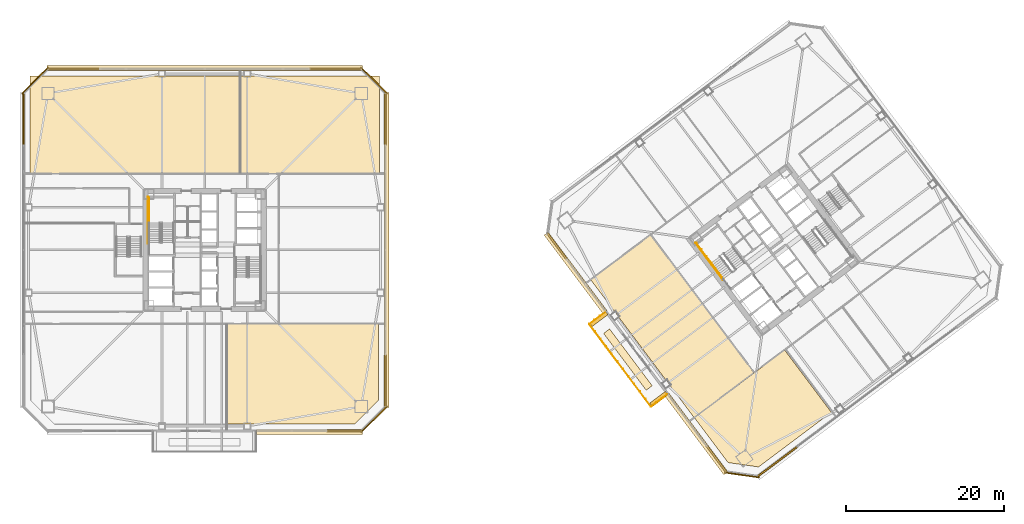
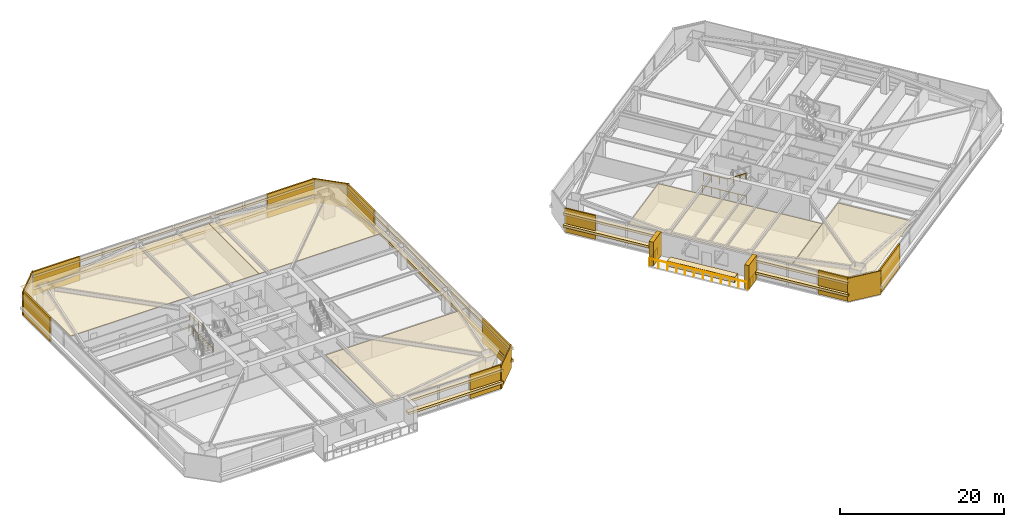
# One storey, part 43 of 46: 31 coverings, 8 railings.
"""IFC4 building model written with IfcOpenShell, lengths in metres."""

import ifcopenshell
import ifcopenshell.guid

model = None  # the IFC model being written
_history = None  # IfcOwnerHistory: only IFC2X3 demands one
_inside = {}  # id of a spatial element -> (the spatial element, [elements in it])
_under = {}  # id of a project, library or spatial element -> (it, [spatial elements below it])
_declared = {}  # id of a project -> (the project, [libraries it declares])
_typed = {}  # id of a type object -> (the type object, [elements of that type])
_made_of = {}  # id of a material, layer set ... -> (it, [elements and type objects made of it])


def new_model(schema):
    """Start an empty IFC model of exactly this schema.

    Asked for "IFC4X3", IfcOpenShell would pick the latest addendum, in which some entities
    have other attributes; the version numbers below select the first issue.
    IFC2X3 requires an IfcOwnerHistory on every rooted entity: one is made here for all.
    """
    global model, _history
    if schema == "IFC4X3":
        model = ifcopenshell.file(schema_version=(4, 3, 0, 0))
    else:
        model = ifcopenshell.file(schema=schema)
    _inside.clear()
    _under.clear()
    _declared.clear()
    _typed.clear()
    _made_of.clear()
    _history = None
    if model.schema == "IFC2X3":
        org = make("IfcOrganization", Name="unknown")
        user = make(
            "IfcPersonAndOrganization",
            ThePerson=make("IfcPerson", FamilyName="unknown"),
            TheOrganization=org,
        )
        app = make(
            "IfcApplication",
            ApplicationDeveloper=org,
            Version="unknown",
            ApplicationFullName="unknown",
            ApplicationIdentifier="unknown",
        )
        _history = make(
            "IfcOwnerHistory",
            OwningUser=user,
            OwningApplication=app,
            ChangeAction="ADDED",
            CreationDate=0,
        )
    return model


def make(cls, **values):
    """One entity of the class cls with the attributes given. An attribute that is None is left unset."""
    return model.create_entity(
        cls, **{name: value for name, value in values.items() if value is not None}
    )


def rooted(cls, **values):
    """An entity with a GlobalId (a new one), such as an element, a storey or a relation."""
    return make(cls, GlobalId=ifcopenshell.guid.new(), OwnerHistory=_history, **values)


def si_unit(unit_type, name, prefix=None):
    """IfcSIUnit, for example si_unit("LENGTHUNIT", "METRE", prefix="MILLI")."""
    return make("IfcSIUnit", UnitType=unit_type, Prefix=prefix, Name=name)


def assignment(units):
    """IfcUnitAssignment: the units of a project."""
    return None if units is None else make("IfcUnitAssignment", Units=units)


def point(xyz):
    """IfcCartesianPoint."""
    return None if xyz is None else make("IfcCartesianPoint", Coordinates=xyz)


def direction(xyz):
    """IfcDirection."""
    return None if xyz is None else make("IfcDirection", DirectionRatios=xyz)


def frame(location, z_axis=None, x_axis=None):
    """IfcAxis2Placement3D, a coordinate frame: its origin and axes. An axis left out is left unset."""
    return make(
        "IfcAxis2Placement3D",
        Location=point(location),
        Axis=direction(z_axis),
        RefDirection=direction(x_axis),
    )


def frame_2d(location, x_axis=None):
    """IfcAxis2Placement2D, a coordinate frame in the plane: its origin and x axis."""
    return make(
        "IfcAxis2Placement2D", Location=point(location), RefDirection=direction(x_axis)
    )


def origin():
    """The frame at (0, 0, 0) with its axes left unset."""
    return frame((0.0, 0.0, 0.0))


def origin_2d():
    """The frame at (0, 0) in the plane with its x axis left unset."""
    return frame_2d((0.0, 0.0))


def place(relative_to, where):
    """IfcLocalPlacement: puts the frame where relative to a parent placement (None: the world)."""
    return make(
        "IfcLocalPlacement", PlacementRelTo=relative_to, RelativePlacement=where
    )


def context(
    kind, dimensions, precision=None, world=None, true_north=None, identifier=None
):
    """IfcGeometricRepresentationContext, for example the 3D "Model" context."""
    return make(
        "IfcGeometricRepresentationContext",
        ContextIdentifier=identifier,
        ContextType=kind,
        CoordinateSpaceDimension=dimensions,
        Precision=precision,
        WorldCoordinateSystem=world,
        TrueNorth=true_north,
    )


def subcontext(parent, identifier, kind, view, scale=None):
    """IfcGeometricRepresentationSubContext, for example "Body" below "Model"."""
    return make(
        "IfcGeometricRepresentationSubContext",
        ContextIdentifier=identifier,
        ContextType=kind,
        ParentContext=parent,
        TargetScale=scale,
        TargetView=view,
    )


def project(units=None, contexts=None):
    """IfcProject with its units and contexts."""
    return rooted(
        "IfcProject",
        Name="project",
        RepresentationContexts=contexts,
        UnitsInContext=assignment(units),
    )


def spatial(cls, under=None, at=None, **own):
    """A site, building, storey or space (cls), placed at a placement, below another one or the project."""
    s = rooted(cls, ObjectPlacement=at, **own)
    if under is not None:
        _under.setdefault(under.id(), (under, []))[1].append(s)
    return s


def polyline(points):
    """IfcPolyline through the points."""
    return make("IfcPolyline", Points=[point(p) for p in points])


def profile(cls, at=None, kind="AREA", **sizes):
    """A parametric profile (cls). Its sizes go by their IFC names, for example OverallWidth=200.0."""
    return make(cls, ProfileType=kind, Position=at, **sizes)


def rectangle(**sizes):
    """IfcRectangleProfileDef."""
    return profile("IfcRectangleProfileDef", **sizes)


def outline(outer, holes=None, kind="AREA"):
    """IfcArbitraryClosedProfileDef: a profile drawn as a closed curve; with holes, ...WithVoids."""
    if holes is None:
        return make("IfcArbitraryClosedProfileDef", ProfileType=kind, OuterCurve=outer)
    return make(
        "IfcArbitraryProfileDefWithVoids",
        ProfileType=kind,
        OuterCurve=outer,
        InnerCurves=holes,
    )


def extrude(swept, where, along, depth):
    """IfcExtrudedAreaSolid: the profile swept, set in the frame where, extruded along a direction by depth."""
    return make(
        "IfcExtrudedAreaSolid",
        SweptArea=swept,
        Position=where,
        ExtrudedDirection=direction(along),
        Depth=depth,
    )


def shape(context_of_items, identifier, shape_type, items):
    """IfcShapeRepresentation: the items that make up one representation, for example the "Body"."""
    return make(
        "IfcShapeRepresentation",
        ContextOfItems=context_of_items,
        RepresentationIdentifier=identifier,
        RepresentationType=shape_type,
        Items=items,
    )


def material(Name=None, Category=None):
    """IfcMaterial."""
    return make("IfcMaterial", Name=Name, Category=Category)


def layer(
    of_material, thickness, ventilated=None, Name=None, Category=None, Priority=None
):
    """IfcMaterialLayer: one layer of a wall or slab, of a material (None: an air gap)."""
    return make(
        "IfcMaterialLayer",
        Material=of_material,
        LayerThickness=thickness,
        IsVentilated=ventilated,
        Name=Name,
        Category=Category,
        Priority=Priority,
    )


def layer_set(layers, Name=None):
    """IfcMaterialLayerSet."""
    return make("IfcMaterialLayerSet", MaterialLayers=layers, LayerSetName=Name)


def made_of(thing, what):
    """Note that an element or type object is made of a material, layer set ...; save() writes the relation."""
    if what is not None:
        _made_of.setdefault(what.id(), (what, []))[1].append(thing)
    return thing


def type_object(cls, material=None, **own):
    """A type object (cls), such as IfcWallType, which elements share."""
    return made_of(rooted(cls, **own), material)


def element(
    cls,
    number,
    at=None,
    inside=None,
    cuts=None,
    type_object=None,
    material=None,
    context=None,
    identifier="Body",
    shape_type=None,
    held_by="IfcProductDefinitionShape",
    body=None,
    shapes=None,
    **own,
):
    """One element of the class cls, such as IfcWall. Its Tag is "e" and its number.

    at: its placement. inside: the storey or other place that contains it. cuts: it is an
    opening in that element (IfcRelVoidsElement). A single representation is given by context,
    identifier, shape_type and body (its items); several are given by shapes. held_by: the class
    of the entity that holds the representations. save() writes the other relations.
    """
    e = rooted(cls, Tag="e%d" % number, ObjectPlacement=at, **own)
    if body is not None:
        shapes = [shape(context, identifier, shape_type, body)]
    if shapes is not None:
        e.Representation = make(held_by, Representations=shapes)
    if inside is not None:
        _inside.setdefault(inside.id(), (inside, []))[1].append(e)
    if cuts is not None:
        rooted(
            "IfcRelVoidsElement", RelatingBuildingElement=cuts, RelatedOpeningElement=e
        )
    if type_object is not None:
        _typed.setdefault(type_object.id(), (type_object, []))[1].append(e)
    return made_of(e, material)


def aggregate(whole, parts):
    """IfcRelAggregates: a whole, such as a stair, and the parts it consists of."""
    return rooted("IfcRelAggregates", RelatingObject=whole, RelatedObjects=parts)


def save(model, path):
    """Write the relations noted so far, then the file.

    IfcRelAggregates (storeys below a building ...), IfcRelContainedInSpatialStructure (elements
    in a storey), IfcRelDefinesByType, IfcRelAssociatesMaterial and IfcRelDeclares: one each for
    every whole, place, type object, material and project.
    """
    for whole, parts in _under.values():
        aggregate(whole, parts)
    for where, things in _inside.values():
        rooted(
            "IfcRelContainedInSpatialStructure",
            RelatedElements=things,
            RelatingStructure=where,
        )
    for kind, things in _typed.values():
        rooted("IfcRelDefinesByType", RelatedObjects=things, RelatingType=kind)
    for what, things in _made_of.values():
        rooted("IfcRelAssociatesMaterial", RelatedObjects=things, RelatingMaterial=what)
    for by, libraries in _declared.values():
        rooted("IfcRelDeclares", RelatingContext=by, RelatedDefinitions=libraries)
    model.write(path)


model = new_model("IFC4")

# Units and contexts
model_context = context("Model", 3, precision=1e-05, world=origin(), true_north=direction((0.0, 1.0)))
body_context = subcontext(model_context, "Body", "Model", "MODEL_VIEW")
ifc_project = project(units=[si_unit("LENGTHUNIT", "METRE"), si_unit("AREAUNIT", "SQUARE_METRE"), si_unit("VOLUMEUNIT", "CUBIC_METRE"), si_unit("PLANEANGLEUNIT", "RADIAN"), si_unit("MASSUNIT", "GRAM", prefix="KILO")], contexts=[model_context])

# Site, building, storey
site_placement = place(None, origin())
site = spatial("IfcSite", under=ifc_project, at=site_placement, CompositionType="ELEMENT")
building_placement = place(site_placement, origin())
building = spatial("IfcBuilding", under=site, at=building_placement, Name="Tashvorn Skyway Center", CompositionType="ELEMENT")
storey_placement = place(building_placement, frame((0.0, 0.0, 60.10009765625)))
storey = spatial("IfcBuildingStorey", under=building, at=storey_placement, Name="L15", CompositionType="ELEMENT", Elevation=60.10009765625)

# Coverings
ifc_material_1 = material(Name="Precast concrete C40/50", Category="concrete")
ifc_layer_1 = layer(ifc_material_1, 0.199951171875)
ifc_layer_set_1 = layer_set([ifc_layer_1], Name="Precast concrete C40/50")
covering_type_1 = type_object("IfcCoveringType", Name="COV-BRACE-CLAD", PredefinedType="CLADDING", material=ifc_layer_set_1)
covering_1_placement = place(storey_placement, frame((59.666748046875, 9.1201171875, 0.0), z_axis=(0.0, 0.0, 1.0), x_axis=(-1.0, 0.0, 0.0)))
element("IfcCovering", 1, at=covering_1_placement, inside=storey, type_object=covering_type_1, Name="Tower 1 L15 South Curtain Wall L Mega-Brace Cladding Band 1", PredefinedType="CLADDING", context=body_context, shape_type="SweptSolid", body=[
    extrude(rectangle(XDim=4.4267578125, YDim=0.199951171875, at=origin_2d()), origin(), (0.0, 0.0, 1.0), 3.550048828125),
])
for number, where, z_axis, x_axis, name in (
    (2, (19.1201171875, 48.566650390625, 0.0), (0.0, 0.0, 1.0), (0.0, 1.0, 0.0), "Tower 1 L15 West Unitised Curtain Wall Mega-Brace Cladding Band 2"),
    (3, (25.433349609375, 54.8798828125, 0.0), (0.0, 0.0, 1.0), (1.0, 0.0, 0.0), "Tower 1 L15 North Unitised Curtain Wall Mega-Brace Cladding Band 1"),
    (4, (58.566650390625, 54.8798828125, 0.0), (0.0, 0.0, 1.0), (1.0, 0.0, 0.0), "Tower 1 L15 North Unitised Curtain Wall Mega-Brace Cladding Band 2"),
    (5, (64.8798828125, 48.566650390625, 0.0), (0.0, 0.0, 1.0), (0.0, -1.0, 0.0), "Tower 1 L15 East Unitised Curtain Wall Mega-Brace Cladding Band 1"),
    (6, (64.8798828125, 15.433349609375, 0.0), (0.0, 0.0, 1.0), (0.0, -1.0, 0.0), "Tower 1 L15 East Unitised Curtain Wall Mega-Brace Cladding Band 2"),
):
    element("IfcCovering", number, at=place(storey_placement, frame(where, z_axis=z_axis, x_axis=x_axis)), inside=storey, type_object=covering_type_1, Name=name, PredefinedType="CLADDING", context=body_context, shape_type="SweptSolid", body=[
        extrude(rectangle(XDim=6.626708984375, YDim=0.199951171875, at=origin_2d()), origin(), (0.0, 0.0, 1.0), 3.550048828125),
    ])
covering_2_placement = place(storey_placement, frame((114.42138671875, 5.216064453125, 0.0), z_axis=(0.0, 0.0, 1.0), x_axis=(-0.799999996291, -0.600000004945, 0.0)))
element("IfcCovering", 7, at=covering_2_placement, inside=storey, type_object=covering_type_1, Name="Tower 2 L15 South Unitised Curtain Wall Mega-Brace Cladding Band 2", PredefinedType="CLADDING", context=body_context, shape_type="SweptSolid", body=[
    extrude(rectangle(XDim=6.29345703125, YDim=0.199951171875, at=origin_2d()), origin(), (0.0, 0.0, 1.0), 3.550048828125),
])
for number, where, z_axis, x_axis, name in (
    (8, (106.756103515625, 5.525390625, 0.0), (0.0, 0.0, 1.0), (-0.600000004945, 0.799999996291, 0.0), "Tower 2 L15 West Curtain Wall L Mega-Brace Cladding Band 1"),
    (9, (86.555908203125, 32.458740234375, 0.0), (0.0, 0.0, 1.0), (-0.600000004945, 0.799999996291, 0.0), "Tower 2 L15 West Curtain Wall R Mega-Brace Cladding Band 1"),
):
    element("IfcCovering", number, at=place(storey_placement, frame(where, z_axis=z_axis, x_axis=x_axis)), inside=storey, type_object=covering_type_1, Name=name, PredefinedType="CLADDING", context=body_context, shape_type="SweptSolid", body=[
        extrude(rectangle(XDim=4.09326171875, YDim=0.199951171875, at=origin_2d()), origin(), (0.0, 0.0, 1.0), 3.550048828125),
    ])
ifc_material_2 = material(Name="Mineral-fibre acoustic ceiling tile on suspended grid")
ifc_layer_2 = layer(ifc_material_2, 0.02001953125)
ifc_layer_set_2 = layer_set([ifc_layer_2], Name="Mineral-fibre acoustic ceiling tile on suspended grid")
covering_type_2 = type_object("IfcCoveringType", Name="COV-CEIL-20", PredefinedType="CEILING", material=ifc_layer_set_2)
covering_3_placement = place(storey_placement, frame((0.0, 0.0, 2.682861328125)))
element("IfcCovering", 10, at=covering_3_placement, inside=storey, type_object=covering_type_2, Name="Tower 1 L15 Wellness Clinic Acoustic Ceiling", PredefinedType="CEILING", context=body_context, shape_type="SweptSolid", body=[
    extrude(outline(polyline([(19.89990234375, 41.669921875), (46.5, 41.669921875), (46.5, 54.0), (19.89990234375, 54.0), (19.89990234375, 41.669921875)])), origin(), (0.0, 0.0, 1.0), 0.02001953125),
])
covering_4_placement = place(storey_placement, frame((0.0, 0.0, 2.682861328125)))
element("IfcCovering", 11, at=covering_4_placement, inside=storey, type_object=covering_type_2, Name="Tower 1 L15 Wellness Clinic Acoustic Ceiling", PredefinedType="CEILING", context=body_context, shape_type="SweptSolid", body=[
    extrude(outline(polyline([(46.5, 41.669921875), (64.10009765625, 41.669921875), (64.10009765625, 54.0), (46.5, 54.0), (46.5, 41.669921875)])), origin(), (0.0, 0.0, 1.0), 0.02001953125),
])
covering_5_placement = place(storey_placement, frame((0.0, 0.0, 2.682861328125)))
element("IfcCovering", 12, at=covering_5_placement, inside=storey, type_object=covering_type_2, Name="Tower 1 L15 Reading Lounge Acoustic Ceiling", PredefinedType="CEILING", context=body_context, shape_type="SweptSolid", body=[
    extrude(outline(polyline([(44.919921875, 10.02001953125), (44.919921875, 22.610107421875), (63.97998046875, 22.610107421875), (63.97998046875, 12.97998046875), (61.02001953125, 10.02001953125), (44.919921875, 10.02001953125)])), origin(), (0.0, 0.0, 1.0), 0.02001953125),
])
covering_6_placement = place(storey_placement, frame((0.0, 0.0, 2.682861328125)))
element("IfcCovering", 13, at=covering_6_placement, inside=storey, type_object=covering_type_2, Name="Tower 2 L15 Executive Suite Acoustic Ceiling", PredefinedType="CEILING", context=body_context, shape_type="SweptSolid", body=[
    extrude(outline(polyline([(103.93994140625, 10.780029296875), (115.347900390625, 19.3359375), (121.251953125, 11.464111328125), (112.052001953125, 4.56396484375), (108.18798828125, 5.115966796875), (103.93994140625, 10.780029296875)])), origin(), (0.0, 0.0, 1.0), 0.02001953125),
])
covering_7_placement = place(storey_placement, frame((0.0, 0.0, 2.682861328125)))
element("IfcCovering", 14, at=covering_7_placement, inside=storey, type_object=covering_type_2, Name="Tower 2 L15 Security Control Room Acoustic Ceiling", PredefinedType="CEILING", context=body_context, shape_type="SweptSolid", body=[
    extrude(outline(polyline([(103.89990234375, 10.800048828125), (111.47607421875, 16.48193359375), (98.39599609375, 33.922119140625), (90.820068359375, 28.239990234375), (103.89990234375, 10.800048828125)])), origin(), (0.0, 0.0, 1.0), 0.02001953125),
])
ifc_material_3 = material(Name="Perforated ceramic-coated bronze aluminium solar screen", Category="aluminium")
ifc_layer_3 = layer(ifc_material_3, 0.85009765625)
ifc_layer_set_3 = layer_set([ifc_layer_3], Name="Perforated ceramic-coated bronze aluminium solar screen")
covering_type_3 = type_object("IfcCoveringType", Name="COV-SOLAR-BAND", PredefinedType="CLADDING", material=ifc_layer_set_3)
for number, where, z_axis, x_axis, name in (
    (15, (55.239990234375, 8.97998046875, 0.919921875), (0.0, 0.0, 1.0), (-1.0, 0.0, 0.0), "L15 Perforated Ceramic-Metal Solar Screen Louvre Band South 1"),
    (16, (55.239990234375, 8.97998046875, 2.7197265625), (0.0, 0.0, 1.0), (-1.0, 0.0, 0.0), "L15 Perforated Ceramic-Metal Solar Screen Louvre Band South 2"),
):
    element("IfcCovering", number, at=place(storey_placement, frame(where, z_axis=z_axis, x_axis=x_axis)), inside=storey, type_object=covering_type_3, Name=name, PredefinedType="CLADDING", context=body_context, shape_type="SweptSolid", body=[
        extrude(rectangle(XDim=13.39990234375, YDim=0.639892578125, at=origin_2d()), origin(), (0.0, 0.0, 1.0), 0.360107421875),
    ])
for number, where, z_axis, x_axis, name in (
    (17, (42.0, 55.02001953125, 0.919921875), (0.0, 0.0, 1.0), (1.0, 0.0, 0.0), "L15 Perforated Ceramic-Metal Solar Screen Louvre Band North 1"),
    (18, (42.0, 55.02001953125, 2.7197265625), (0.0, 0.0, 1.0), (1.0, 0.0, 0.0), "L15 Perforated Ceramic-Metal Solar Screen Louvre Band North 2"),
    (19, (65.02001953125, 32.0, 0.919921875), (0.0, 0.0, 1.0), (0.0, -1.0, 0.0), "L15 Perforated Ceramic-Metal Solar Screen Louvre Band East 1"),
    (20, (65.02001953125, 32.0, 2.7197265625), (0.0, 0.0, 1.0), (0.0, -1.0, 0.0), "L15 Perforated Ceramic-Metal Solar Screen Louvre Band East 2"),
):
    element("IfcCovering", number, at=place(storey_placement, frame(where, z_axis=z_axis, x_axis=x_axis)), inside=storey, type_object=covering_type_3, Name=name, PredefinedType="CLADDING", context=body_context, shape_type="SweptSolid", body=[
        extrude(rectangle(XDim=39.8798828125, YDim=0.639892578125, at=origin_2d()), origin(), (0.0, 0.0, 1.0), 0.360107421875),
    ])
for number, where, z_axis, x_axis, name in (
    (21, (104.18798828125, 8.716064453125, 0.919921875), (0.0, 0.0, 1.0), (-0.600000004945, 0.799999996291, 0.0), "L15 Perforated Ceramic-Metal Solar Screen Louvre Band West 1"),
    (22, (104.18798828125, 8.716064453125, 2.7197265625), (0.0, 0.0, 1.0), (-0.600000004945, 0.799999996291, 0.0), "L15 Perforated Ceramic-Metal Solar Screen Louvre Band West 2"),
    (23, (88.89990234375, 29.10009765625, 0.919921875), (0.0, 0.0, 1.0), (-0.600000004945, 0.799999996291, 0.0), "L15 Perforated Ceramic-Metal Solar Screen Louvre Band West 1"),
    (24, (88.89990234375, 29.10009765625, 2.7197265625), (0.0, 0.0, 1.0), (-0.600000004945, 0.799999996291, 0.0), "L15 Perforated Ceramic-Metal Solar Screen Louvre Band West 2"),
):
    element("IfcCovering", number, at=place(storey_placement, frame(where, z_axis=z_axis, x_axis=x_axis)), inside=storey, type_object=covering_type_3, Name=name, PredefinedType="CLADDING", context=body_context, shape_type="SweptSolid", body=[
        extrude(rectangle(XDim=12.39990234375, YDim=0.639892578125, at=origin_2d()), origin(), (0.0, 0.0, 1.0), 0.360107421875),
    ])
ifc_layer_4 = layer(ifc_material_1, 0.35009765625)
ifc_layer_set_4 = layer_set([ifc_layer_4], Name="Precast concrete C40/50")
covering_type_4 = type_object("IfcCoveringType", Name="COV-STONE-TRIM", PredefinedType="CLADDING", material=ifc_layer_set_4)
for number, where, z_axis, x_axis, name in (
    (25, (20.580078125, 53.419921875, 0.02001953125), (0.0, 0.0, 1.0), (-0.707106781187, -0.707106781187, 0.0), "Tower 1 L15 NW Mojave Limestone Corner Quoin"),
    (26, (63.419921875, 53.419921875, 0.02001953125), (0.0, 0.0, 1.0), (0.707106781187, -0.707106781187, 0.0), "Tower 1 L15 NE Mojave Limestone Corner Quoin"),
    (27, (63.419921875, 10.580078125, 0.02001953125), (0.0, 0.0, 1.0), (0.707106781187, 0.707106781187, 0.0), "Tower 1 L15 SE Mojave Limestone Corner Quoin"),
):
    element("IfcCovering", number, at=place(storey_placement, frame(where, z_axis=z_axis, x_axis=x_axis)), inside=storey, type_object=covering_type_4, Name=name, PredefinedType="CLADDING", context=body_context, shape_type="SweptSolid", body=[
        extrude(rectangle(XDim=4.685546875, YDim=0.139892578125, at=origin_2d()), origin(), (0.0, 0.0, 1.0), 3.510009765625),
    ])
for number, where, z_axis, x_axis, name in (
    (28, (99.449951171875, 13.14990234375, 0.0), (0.0, 0.0, 1.0), (-0.600000004945, 0.799999996291, 0.0), "Tower 2 L15 Sky Garden Loggia Pier L"),
    (29, (91.830078125, 23.31005859375, 0.0), (0.0, 0.0, 1.0), (-0.600000004945, 0.799999996291, 0.0), "Tower 2 L15 Sky Garden Loggia Pier R"),
):
    element("IfcCovering", number, at=place(storey_placement, frame(where, z_axis=z_axis, x_axis=x_axis)), inside=storey, type_object=covering_type_4, Name=name, PredefinedType="CLADDING", context=body_context, shape_type="SweptSolid", body=[
        extrude(rectangle(XDim=0.580078125, YDim=2.5, at=origin_2d()), origin(), (0.0, 0.0, 1.0), 3.550048828125),
    ])
covering_8_placement = place(storey_placement, frame((95.52001953125, 18.139892578125, 0.0), z_axis=(0.0, 0.0, 1.0), x_axis=(-0.600000004945, 0.799999996291, 0.0)))
element("IfcCovering", 30, at=covering_8_placement, inside=storey, type_object=covering_type_4, Name="Tower 2 L15 Sky Garden Stone Planter Bed", PredefinedType="CLADDING", context=body_context, shape_type="SweptSolid", body=[
    extrude(rectangle(XDim=8.97607421875, YDim=0.949951171875, at=origin_2d()), origin(), (0.0, 0.0, 1.0), 0.800048828125),
])
covering_9_placement = place(storey_placement, frame((109.93603515625, 3.552001953125, 0.02001953125), z_axis=(0.0, 0.0, 1.0), x_axis=(-0.989949494535, 0.141421350118, 0.0)))
element("IfcCovering", 31, at=covering_9_placement, inside=storey, type_object=covering_type_4, Name="Tower 2 L15 SW Mojave Limestone Corner Quoin", PredefinedType="CLADDING", context=body_context, shape_type="SweptSolid", body=[
    extrude(rectangle(XDim=4.402587890625, YDim=0.139892578125, at=origin_2d()), origin(), (0.0, 0.0, 1.0), 3.510009765625),
])

# Railings
ifc_material_4 = material(Name="Galvanized steel S355", Category="steel")
railing_type_1 = type_object("IfcRailingType", Name="RAIL-GUARD-1120", PredefinedType="GUARDRAIL", material=ifc_material_4)
railing_1_placement = place(storey_placement, frame((100.471923828125, 13.7041015625, 0.0)))
element("IfcRailing", 32, at=railing_1_placement, inside=storey, type_object=railing_type_1, Name="L15 Tower 2 Terrace Guardrail 01", PredefinedType="GUARDRAIL", context=body_context, shape_type="SweptSolid", body=[
    extrude(rectangle(XDim=0.048095703125, YDim=0.048095703125, at=origin_2d()), frame((0.0, 0.0, 1.09619140625), z_axis=(-0.799941867976, -0.600077501544, 0.0), x_axis=(0.600077501544, -0.799941867976, 0.0)), (0.0, 0.0, 1.0), 2.52001953125),
    extrude(rectangle(XDim=0.0419921875, YDim=0.0419921875, at=origin_2d()), origin(), (0.0, 0.0, 1.0), 1.072021484375),
    extrude(rectangle(XDim=0.0419921875, YDim=0.0419921875, at=origin_2d()), frame((-0.671875, -0.504150390625, 0.0)), (0.0, 0.0, 1.0), 1.072021484375),
    extrude(rectangle(XDim=0.0419921875, YDim=0.0419921875, at=origin_2d()), frame((-1.343994140625, -1.008056640625, 0.0)), (0.0, 0.0, 1.0), 1.072021484375),
    extrude(rectangle(XDim=0.0419921875, YDim=0.0419921875, at=origin_2d()), frame((-2.015869140625, -1.51220703125, 0.0)), (0.0, 0.0, 1.0), 1.072021484375),
])
railing_2_placement = place(storey_placement, frame((98.4560546875, 12.19189453125, 0.0)))
element("IfcRailing", 33, at=railing_2_placement, inside=storey, type_object=railing_type_1, Name="L15 Tower 2 Terrace Guardrail 02", PredefinedType="GUARDRAIL", context=body_context, shape_type="SweptSolid", body=[
    extrude(rectangle(XDim=0.048095703125, YDim=0.048095703125, at=origin_2d()), frame((0.0, 0.0, 1.09619140625), z_axis=(-0.599994008843, 0.800004493333, 0.0), x_axis=(-0.800004493333, -0.599994008843, 0.0)), (0.0, 0.0, 1.0), 13.0400390625),
    extrude(rectangle(XDim=0.0419921875, YDim=0.0419921875, at=origin_2d()), origin(), (0.0, 0.0, 1.0), 1.072021484375),
    extrude(rectangle(XDim=0.0419921875, YDim=0.0419921875, at=origin_2d()), frame((-0.711181640625, 0.948486328125, 0.0)), (0.0, 0.0, 1.0), 1.072021484375),
    extrude(rectangle(XDim=0.0419921875, YDim=0.0419921875, at=origin_2d()), frame((-1.422607421875, 1.896728515625, 0.0)), (0.0, 0.0, 1.0), 1.072021484375),
    extrude(rectangle(XDim=0.0419921875, YDim=0.0419921875, at=origin_2d()), frame((-2.1337890625, 2.84521484375, 0.0)), (0.0, 0.0, 1.0), 1.072021484375),
    extrude(rectangle(XDim=0.0419921875, YDim=0.0419921875, at=origin_2d()), frame((-2.844970703125, 3.79345703125, 0.0)), (0.0, 0.0, 1.0), 1.072021484375),
    extrude(rectangle(XDim=0.0419921875, YDim=0.0419921875, at=origin_2d()), frame((-3.556396484375, 4.741943359375, 0.0)), (0.0, 0.0, 1.0), 1.072021484375),
    extrude(rectangle(XDim=0.0419921875, YDim=0.0419921875, at=origin_2d()), frame((-4.267578125, 5.690185546875, 0.0)), (0.0, 0.0, 1.0), 1.072021484375),
    extrude(rectangle(XDim=0.0419921875, YDim=0.0419921875, at=origin_2d()), frame((-4.97900390625, 6.638671875, 0.0)), (0.0, 0.0, 1.0), 1.072021484375),
    extrude(rectangle(XDim=0.0419921875, YDim=0.0419921875, at=origin_2d()), frame((-5.690185546875, 7.5869140625, 0.0)), (0.0, 0.0, 1.0), 1.072021484375),
    extrude(rectangle(XDim=0.0419921875, YDim=0.0419921875, at=origin_2d()), frame((-6.4013671875, 8.535400390625, 0.0)), (0.0, 0.0, 1.0), 1.072021484375),
    extrude(rectangle(XDim=0.0419921875, YDim=0.0419921875, at=origin_2d()), frame((-7.11279296875, 9.483642578125, 0.0)), (0.0, 0.0, 1.0), 1.072021484375),
    extrude(rectangle(XDim=0.0419921875, YDim=0.0419921875, at=origin_2d()), frame((-7.823974609375, 10.43212890625, 0.0)), (0.0, 0.0, 1.0), 1.072021484375),
])
railing_3_placement = place(storey_placement, frame((90.632080078125, 22.6240234375, 0.0)))
element("IfcRailing", 34, at=railing_3_placement, inside=storey, type_object=railing_type_1, Name="L15 Tower 2 Terrace Guardrail 03", PredefinedType="GUARDRAIL", context=body_context, shape_type="SweptSolid", body=[
    extrude(rectangle(XDim=0.048095703125, YDim=0.048095703125, at=origin_2d()), frame((0.0, 0.0, 1.09619140625), z_axis=(0.79998837352, 0.60001550166, 0.0), x_axis=(-0.60001550166, 0.79998837352, 0.0)), (0.0, 0.0, 1.0), 2.519775390625),
    extrude(rectangle(XDim=0.0419921875, YDim=0.0419921875, at=origin_2d()), origin(), (0.0, 0.0, 1.0), 1.072021484375),
    extrude(rectangle(XDim=0.0419921875, YDim=0.0419921875, at=origin_2d()), frame((0.671875, 0.50390625, 0.0)), (0.0, 0.0, 1.0), 1.072021484375),
    extrude(rectangle(XDim=0.0419921875, YDim=0.0419921875, at=origin_2d()), frame((1.343994140625, 1.008056640625, 0.0)), (0.0, 0.0, 1.0), 1.072021484375),
    extrude(rectangle(XDim=0.0419921875, YDim=0.0419921875, at=origin_2d()), frame((2.015869140625, 1.511962890625, 0.0)), (0.0, 0.0, 1.0), 1.072021484375),
])
ifc_material_5 = material(Name="Brushed stainless steel 316", Category="steel")
railing_type_2 = type_object("IfcRailingType", Name="RAIL-HAND-920", PredefinedType="HANDRAIL", material=ifc_material_5)
railing_4_placement = place(storey_placement, frame((106.072021484375, 30.35400390625, 1.952392578125)))
element("IfcRailing", 35, at=railing_4_placement, inside=storey, type_object=railing_type_2, Name="L15 ST-T2-1 stair handrail 2", PredefinedType="HANDRAIL", context=body_context, shape_type="SweptSolid", body=[
    extrude(rectangle(XDim=0.048095703125, YDim=0.048095703125, at=origin_2d()), frame((0.0, 0.0, 0.8759765625), z_axis=(0.506740800098, -0.675708949977, 0.535379469569), x_axis=(0.800023250257, 0.599968998406, 0.0)), (0.0, 0.0, 1.0), 2.983642578125),
    extrude(rectangle(XDim=0.0419921875, YDim=0.0419921875, at=origin_2d()), origin(), (0.0, 0.0, 1.0), 0.851806640625),
    extrude(rectangle(XDim=0.0419921875, YDim=0.0419921875, at=origin_2d()), frame((0.50390625, -0.672119140625, 0.532470703125)), (0.0, 0.0, 1.0), 0.851806640625),
    extrude(rectangle(XDim=0.0419921875, YDim=0.0419921875, at=origin_2d()), frame((1.008056640625, -1.343994140625, 1.06494140625)), (0.0, 0.0, 1.0), 0.851806640625),
    extrude(rectangle(XDim=0.0419921875, YDim=0.0419921875, at=origin_2d()), frame((1.511962890625, -2.01611328125, 1.597412109375)), (0.0, 0.0, 1.0), 0.851806640625),
])
ifc_material_6 = material(Name="Painted galvanized steel S355", Category="steel")
railing_type_3 = type_object("IfcRailingType", Name="RAIL-STGUARD-1100", PredefinedType="GUARDRAIL", material=ifc_material_6)
railing_5_placement = place(storey_placement, frame((34.949951171875, 35.43994140625, 1.77490234375)))
element("IfcRailing", 36, at=railing_5_placement, inside=storey, type_object=railing_type_3, Name="L15 ST-T1-1 stair guard 3", PredefinedType="GUARDRAIL", context=body_context, shape_type="SweptSolid", body=[
    extrude(rectangle(XDim=0.048095703125, YDim=0.048095703125, at=origin_2d()), frame((0.0, 0.0, 1.076171875), z_axis=(0.0, 1.0, 0.0), x_axis=(-1.0, 0.0, 0.0)), (0.0, 0.0, 1.0), 3.16015625),
    extrude(rectangle(XDim=0.0419921875, YDim=0.0419921875, at=origin_2d()), origin(), (0.0, 0.0, 1.0), 1.052001953125),
    extrude(rectangle(XDim=0.0419921875, YDim=0.0419921875, at=origin_2d()), frame((0.0, 1.053466796875, 0.0)), (0.0, 0.0, 1.0), 1.052001953125),
    extrude(rectangle(XDim=0.0419921875, YDim=0.0419921875, at=origin_2d()), frame((0.0, 2.106689453125, 0.0)), (0.0, 0.0, 1.0), 1.052001953125),
    extrude(rectangle(XDim=0.0419921875, YDim=0.0419921875, at=origin_2d()), frame((0.0, 3.16015625, 0.0)), (0.0, 0.0, 1.0), 1.052001953125),
])
railing_6_placement = place(storey_placement, frame((34.85009765625, 32.820068359375, 0.0)))
element("IfcRailing", 37, at=railing_6_placement, inside=storey, type_object=railing_type_3, Name="L15 ST-T1-1 stair guard 7", PredefinedType="GUARDRAIL", context=body_context, shape_type="SweptSolid", body=[
    extrude(rectangle(XDim=0.048095703125, YDim=0.048095703125, at=origin_2d()), frame((0.0, 0.0, 1.076171875), z_axis=(0.0, 1.0, 0.0), x_axis=(-1.0, 0.0, 0.0)), (0.0, 0.0, 1.0), 5.8798828125),
    extrude(rectangle(XDim=0.0419921875, YDim=0.0419921875, at=origin_2d()), origin(), (0.0, 0.0, 1.0), 1.052001953125),
    extrude(rectangle(XDim=0.0419921875, YDim=0.0419921875, at=origin_2d()), frame((0.0, 1.176025390625, 0.0)), (0.0, 0.0, 1.0), 1.052001953125),
    extrude(rectangle(XDim=0.0419921875, YDim=0.0419921875, at=origin_2d()), frame((0.0, 2.35205078125, 0.0)), (0.0, 0.0, 1.0), 1.052001953125),
    extrude(rectangle(XDim=0.0419921875, YDim=0.0419921875, at=origin_2d()), frame((0.0, 3.52783203125, 0.0)), (0.0, 0.0, 1.0), 1.052001953125),
    extrude(rectangle(XDim=0.0419921875, YDim=0.0419921875, at=origin_2d()), frame((0.0, 4.703857421875, 0.0)), (0.0, 0.0, 1.0), 1.052001953125),
    extrude(rectangle(XDim=0.0419921875, YDim=0.0419921875, at=origin_2d()), frame((0.0, 5.8798828125, 0.0)), (0.0, 0.0, 1.0), 1.052001953125),
])
railing_7_placement = place(storey_placement, frame((106.072021484375, 30.35400390625, 1.77490234375)))
element("IfcRailing", 38, at=railing_7_placement, inside=storey, type_object=railing_type_3, Name="L15 ST-T2-1 stair guard 3", PredefinedType="GUARDRAIL", context=body_context, shape_type="SweptSolid", body=[
    extrude(rectangle(XDim=0.048095703125, YDim=0.048095703125, at=origin_2d()), frame((0.0, 0.0, 1.076171875), z_axis=(-0.599987638607, 0.800009270896, 0.0), x_axis=(-0.800009270896, -0.599987638607, 0.0)), (0.0, 0.0, 1.0), 3.16015625),
    extrude(rectangle(XDim=0.0419921875, YDim=0.0419921875, at=origin_2d()), origin(), (0.0, 0.0, 1.0), 1.052001953125),
    extrude(rectangle(XDim=0.0419921875, YDim=0.0419921875, at=origin_2d()), frame((-0.632080078125, 0.8427734375, 0.0)), (0.0, 0.0, 1.0), 1.052001953125),
    extrude(rectangle(XDim=0.0419921875, YDim=0.0419921875, at=origin_2d()), frame((-1.263916015625, 1.685302734375, 0.0)), (0.0, 0.0, 1.0), 1.052001953125),
    extrude(rectangle(XDim=0.0419921875, YDim=0.0419921875, at=origin_2d()), frame((-1.89599609375, 2.528076171875, 0.0)), (0.0, 0.0, 1.0), 1.052001953125),
])
railing_8_placement = place(storey_placement, frame((107.56396484375, 28.197998046875, 0.0)))
element("IfcRailing", 39, at=railing_8_placement, inside=storey, type_object=railing_type_3, Name="L15 ST-T2-1 stair guard 7", PredefinedType="GUARDRAIL", context=body_context, shape_type="SweptSolid", body=[
    extrude(rectangle(XDim=0.048095703125, YDim=0.048095703125, at=origin_2d()), frame((0.0, 0.0, 1.076171875), z_axis=(-0.6, 0.8, 0.0), x_axis=(-0.8, -0.6, 0.0)), (0.0, 0.0, 1.0), 5.880126953125),
    extrude(rectangle(XDim=0.0419921875, YDim=0.0419921875, at=origin_2d()), origin(), (0.0, 0.0, 1.0), 1.052001953125),
    extrude(rectangle(XDim=0.0419921875, YDim=0.0419921875, at=origin_2d()), frame((-0.70556640625, 0.94091796875, 0.0)), (0.0, 0.0, 1.0), 1.052001953125),
    extrude(rectangle(XDim=0.0419921875, YDim=0.0419921875, at=origin_2d()), frame((-1.4111328125, 1.881591796875, 0.0)), (0.0, 0.0, 1.0), 1.052001953125),
    extrude(rectangle(XDim=0.0419921875, YDim=0.0419921875, at=origin_2d()), frame((-2.116943359375, 2.822509765625, 0.0)), (0.0, 0.0, 1.0), 1.052001953125),
    extrude(rectangle(XDim=0.0419921875, YDim=0.0419921875, at=origin_2d()), frame((-2.822509765625, 3.76318359375, 0.0)), (0.0, 0.0, 1.0), 1.052001953125),
    extrude(rectangle(XDim=0.0419921875, YDim=0.0419921875, at=origin_2d()), frame((-3.528076171875, 4.7041015625, 0.0)), (0.0, 0.0, 1.0), 1.052001953125),
])

save(model, "model.ifc")
